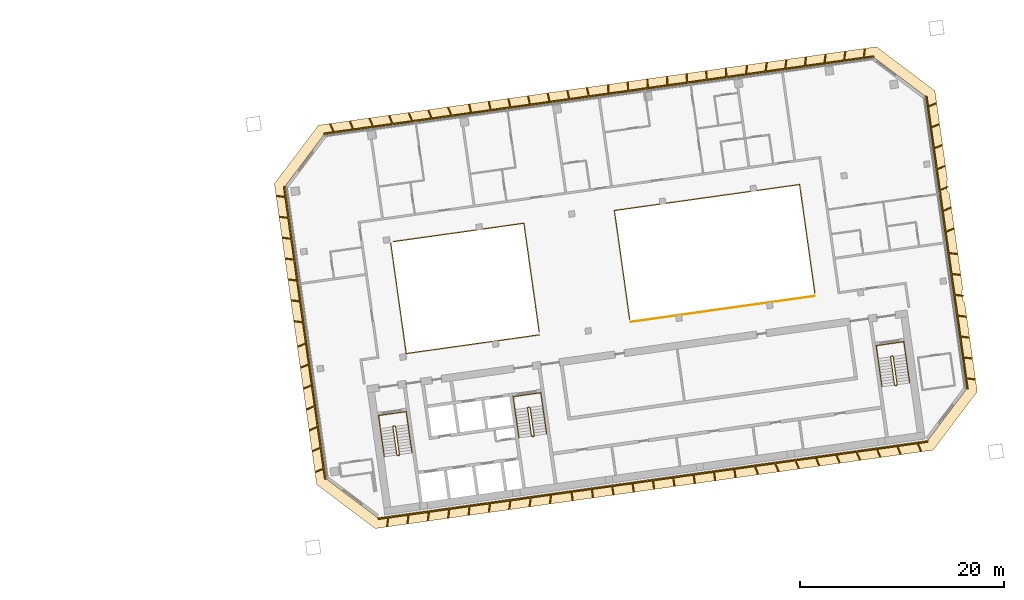
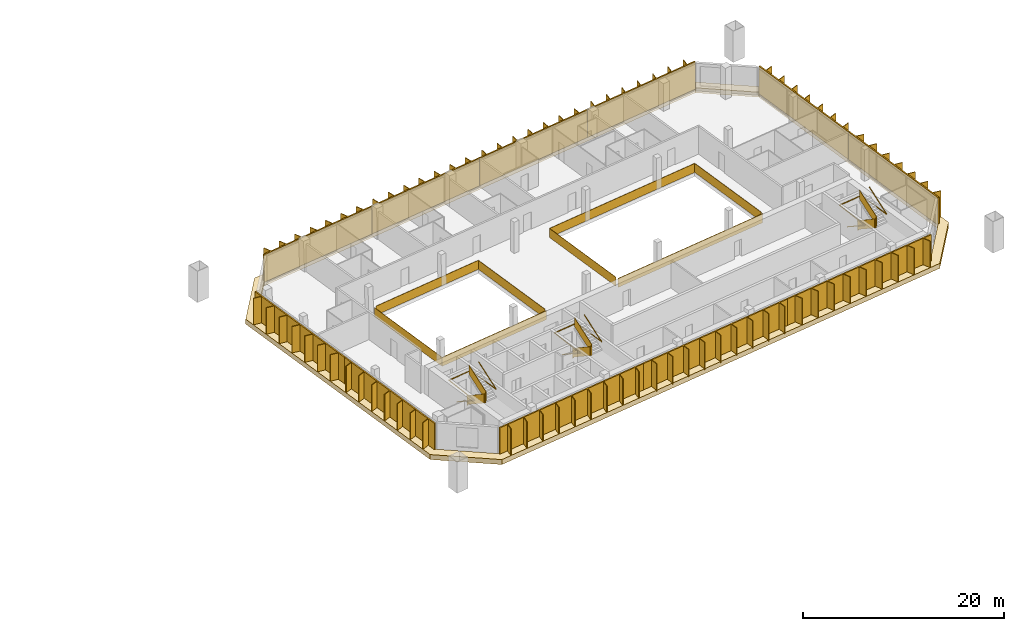
# One storey, part 25 of 25: 11 shading devices, 10 railings, 1 covering.
"""IFC4 building model written with IfcOpenShell, lengths in metres."""

from ifc_helpers import new_model, si_unit, direction, frame, origin, origin_2d, place, context, subcontext, project, spatial, polyline, rectangle, outline, extrude, material, layer, layer_set, type_object, element, save


model = new_model("IFC4")

# Units and contexts
model_context = context("Model", 3, precision=1e-05, world=origin(), true_north=direction((0.0, 1.0)))
body_context = subcontext(model_context, "Body", "Model", "MODEL_VIEW")
ifc_project = project(units=[si_unit("LENGTHUNIT", "METRE"), si_unit("AREAUNIT", "SQUARE_METRE"), si_unit("VOLUMEUNIT", "CUBIC_METRE"), si_unit("PLANEANGLEUNIT", "RADIAN"), si_unit("MASSUNIT", "GRAM", prefix="KILO")], contexts=[model_context])

# Site, building, storey
site_placement = place(None, origin())
site = spatial("IfcSite", under=ifc_project, at=site_placement, CompositionType="ELEMENT")
building_placement = place(site_placement, origin())
building = spatial("IfcBuilding", under=site, at=building_placement, Name="Mirante Cascada Hotel Towers", CompositionType="ELEMENT")
storey_placement = place(building_placement, frame((0.0, 0.0, 172.6)))
storey = spatial("IfcBuildingStorey", under=building, at=storey_placement, Name="L40", CompositionType="ELEMENT", Elevation=172.6)

# Railings
ifc_material_1 = material(Name="Toughened glass with stainless steel handrail", Category="steel")
railing_type_1 = type_object("IfcRailingType", Name="Atrium guard 1100 glass balustrade", PredefinedType="GUARDRAIL", material=ifc_material_1)
railing_1_placement = place(storey_placement, frame((37.864, 6.7125, 0.0)))
element("IfcRailing", 1, at=railing_1_placement, inside=storey, type_object=railing_type_1, Name="GUARD 2-L40-1", PredefinedType="GUARDRAIL", context=body_context, shape_type="SweptSolid", body=[
    extrude(rectangle(XDim=0.048, YDim=0.048, at=origin_2d()), frame((0.0, 0.0, 1.076), z_axis=(0.1391712, -0.9902683, 0.0), x_axis=(0.9902683, 0.1391712, 0.0)), (0.0, 0.0, 1.0), 10.9333),
    extrude(rectangle(XDim=0.02, YDim=1.052, at=origin_2d()), frame((0.0, 0.0, 0.526), z_axis=(0.1391712, -0.9902683, 0.0), x_axis=(0.9902683, 0.1391712, 0.0)), (0.0, 0.0, 1.0), 10.9333),
    extrude(rectangle(XDim=0.048, YDim=0.048, at=origin_2d()), frame((1.5216, -10.8269, 1.076), z_axis=(0.9902673, 0.1391788, 0.0), x_axis=(-0.1391788, 0.9902673, 0.0)), (0.0, 0.0, 1.0), 13.1622),
    extrude(rectangle(XDim=0.02, YDim=1.052, at=origin_2d()), frame((1.5216, -10.8269, 0.526), z_axis=(0.9902673, 0.1391788, 0.0), x_axis=(-0.1391788, 0.9902673, 0.0)), (0.0, 0.0, 1.0), 13.1622),
])
railing_2_placement = place(storey_placement, frame((61.4157, -1.0182, 0.0)))
element("IfcRailing", 2, at=railing_2_placement, inside=storey, type_object=railing_type_1, Name="GUARD 2-L40-2", PredefinedType="GUARDRAIL", context=body_context, shape_type="SweptSolid", body=[
    extrude(rectangle(XDim=0.048, YDim=0.048, at=origin_2d()), frame((0.0, 0.0, 1.076), z_axis=(0.990268, 0.1391737, 0.0), x_axis=(-0.1391737, 0.990268, 0.0)), (0.0, 0.0, 1.0), 18.2534),
    extrude(rectangle(XDim=0.02, YDim=1.052, at=origin_2d()), frame((0.0, 0.0, 0.526), z_axis=(0.990268, 0.1391737, 0.0), x_axis=(-0.1391737, 0.990268, 0.0)), (0.0, 0.0, 1.0), 18.2534),
    extrude(rectangle(XDim=0.048, YDim=0.048, at=origin_2d()), frame((18.0758, 2.5404, 1.076), z_axis=(-0.9902081, -0.1395992, 0.0), x_axis=(0.1395992, -0.9902081, 0.0)), (0.0, 0.0, 1.0), 0.0845),
    extrude(rectangle(XDim=0.02, YDim=1.052, at=origin_2d()), frame((18.0758, 2.5404, 0.526), z_axis=(-0.9902081, -0.1395992, 0.0), x_axis=(0.1395992, -0.9902081, 0.0)), (0.0, 0.0, 1.0), 0.0845),
])
railing_3_placement = place(storey_placement, frame((52.4271, -1.9829, 0.0)))
element("IfcRailing", 3, at=railing_3_placement, inside=storey, type_object=railing_type_1, Name="GUARD 2-L40-3", PredefinedType="GUARDRAIL", context=body_context, shape_type="SweptSolid", body=[
    extrude(rectangle(XDim=0.048, YDim=0.048, at=origin_2d()), frame((0.0, 0.0, 1.076), z_axis=(-0.1391715, 0.9902683, 0.0), x_axis=(-0.9902683, -0.1391715, 0.0)), (0.0, 0.0, 1.0), 10.7544),
    extrude(rectangle(XDim=0.02, YDim=1.052, at=origin_2d()), frame((0.0, 0.0, 0.526), z_axis=(-0.1391715, 0.9902683, 0.0), x_axis=(-0.9902683, -0.1391715, 0.0)), (0.0, 0.0, 1.0), 10.7544),
    extrude(rectangle(XDim=0.048, YDim=0.048, at=origin_2d()), frame((-1.4967, 10.6497, 1.076), z_axis=(-0.9902681, -0.139173, 0.0), x_axis=(0.139173, -0.9902681, 0.0)), (0.0, 0.0, 1.0), 12.935),
    extrude(rectangle(XDim=0.02, YDim=1.052, at=origin_2d()), frame((-1.4967, 10.6497, 0.526), z_axis=(-0.9902681, -0.139173, 0.0), x_axis=(0.139173, -0.9902681, 0.0)), (0.0, 0.0, 1.0), 12.935),
])
railing_4_placement = place(storey_placement, frame((79.4999, 1.8217, 0.0)))
element("IfcRailing", 4, at=railing_4_placement, inside=storey, type_object=railing_type_1, Name="GUARD 2-L40-4", PredefinedType="GUARDRAIL", context=body_context, shape_type="SweptSolid", body=[
    extrude(rectangle(XDim=0.048, YDim=0.048, at=origin_2d()), frame((0.0, 0.0, 1.076), z_axis=(-0.1391689, 0.9902687, 0.0), x_axis=(-0.9902687, -0.1391689, 0.0)), (0.0, 0.0, 1.0), 10.7546),
    extrude(rectangle(XDim=0.02, YDim=1.052, at=origin_2d()), frame((0.0, 0.0, 0.526), z_axis=(-0.1391689, 0.9902687, 0.0), x_axis=(-0.9902687, -0.1391689, 0.0)), (0.0, 0.0, 1.0), 10.7546),
    extrude(rectangle(XDim=0.048, YDim=0.048, at=origin_2d()), frame((-1.4967, 10.6499, 1.076), z_axis=(-0.9902686, -0.1391691, 0.0), x_axis=(0.1391691, -0.9902686, 0.0)), (0.0, 0.0, 1.0), 18.3525),
    extrude(rectangle(XDim=0.02, YDim=1.052, at=origin_2d()), frame((-1.4967, 10.6499, 0.526), z_axis=(-0.9902686, -0.1391691, 0.0), x_axis=(0.1391691, -0.9902686, 0.0)), (0.0, 0.0, 1.0), 18.3525),
    extrude(rectangle(XDim=0.048, YDim=0.048, at=origin_2d()), frame((-19.6706, 8.0958, 1.076), z_axis=(0.1391702, -0.9902685, 0.0), x_axis=(0.9902685, 0.1391702, 0.0)), (0.0, 0.0, 1.0), 10.7545),
    extrude(rectangle(XDim=0.02, YDim=1.052, at=origin_2d()), frame((-19.6706, 8.0958, 0.526), z_axis=(0.1391702, -0.9902685, 0.0), x_axis=(0.9902685, 0.1391702, 0.0)), (0.0, 0.0, 1.0), 10.7545),
])

# Covering
ifc_material_2 = material(Name="Precast concrete C40/50 white", Category="concrete")
ifc_layer = layer(ifc_material_2, 0.6)
ifc_layer_set = layer_set([ifc_layer], Name="Precast concrete SUNSHADE band 1000x600")
covering_type = type_object("IfcCoveringType", Name="Precast concrete SUNSHADE band 1000x600", PredefinedType="CLADDING", material=ifc_layer_set)
covering_placement = place(storey_placement, frame((0.0, 0.0, -0.45)))
element("IfcCovering", 5, at=covering_placement, inside=storey, type_object=covering_type, Name="Precast concrete SUNSHADE band T2 L40", PredefinedType="CLADDING", context=body_context, shape_type="SweptSolid", body=[
    extrude(outline(polyline([(26.4322, 12.5594), (30.7607, 18.3035), (85.5574, 26.0046), (91.3015, 21.6761), (92.5304, 12.932), (92.5293, 12.9309), (92.5044, 12.8978), (92.4828, 12.8624), (92.4648, 12.825), (92.4506, 12.7861), (92.4402, 12.7459), (92.4338, 12.705), (92.4315, 12.6636), (92.4332, 12.6221), (92.494, 11.955), (92.4998, 11.914), (92.5096, 11.8737), (92.5233, 11.8346), (92.5407, 11.7969), (92.5618, 11.7612), (92.5863, 11.7278), (92.6139, 11.6968), (92.6444, 11.6688), (92.6775, 11.6438), (92.7129, 11.6222), (92.7146, 11.6214), (94.0397, 2.1927), (94.0383, 2.1915), (94.0102, 2.161), (93.9853, 2.1279), (93.9637, 2.0925), (93.9457, 2.0551), (93.9314, 2.0162), (93.921, 1.9761), (93.9146, 1.9351), (93.9122, 1.8937), (93.9139, 1.8523), (93.9197, 1.8112), (94.0451, 1.1532), (94.0548, 1.1129), (94.0685, 1.0738), (94.0859, 1.0362), (94.1069, 1.0004), (94.1314, 0.9669), (94.159, 0.936), (94.1895, 0.9079), (94.2226, 0.8829), (94.2239, 0.8821), (95.4528, -7.862), (91.1243, -13.6061), (36.3277, -21.3073), (30.5836, -16.9788), (26.4322, 12.5594)]), holes=[polyline([(94.4049, -7.591), (90.3689, 21.1268), (85.2864, 24.9567), (31.3101, 17.3708), (27.4802, 12.2884), (31.5162, -16.4294), (36.5987, -20.2593), (90.575, -12.6735), (94.4049, -7.591)])]), origin(), (0.0, 0.0, 1.0), 0.6),
])

# Railings
ifc_material_3 = material(Name="Painted steel", Category="steel")
railing_type_2 = type_object("IfcRailingType", Name="Stair guard 1100 steel balustrade", PredefinedType="GUARDRAIL", material=ifc_material_3)
railing_5_placement = place(storey_placement, frame((38.2663, -11.2395, 0.0)))
element("IfcRailing", 6, at=railing_5_placement, inside=storey, type_object=railing_type_2, Name="L40 ST2-A stair guard 1", PredefinedType="GUARDRAIL", context=body_context, shape_type="SweptSolid", body=[
    extrude(rectangle(XDim=0.048, YDim=0.048, at=origin_2d()), frame((0.0, 0.0, 1.076), z_axis=(-0.9903326, -0.1387133, 0.0), x_axis=(0.1387133, -0.9903326, 0.0)), (0.0, 0.0, 1.0), 0.1499),
    extrude(rectangle(XDim=0.02, YDim=1.052, at=origin_2d()), frame((0.0, 0.0, 0.526), z_axis=(-0.9903326, -0.1387133, 0.0), x_axis=(0.1387133, -0.9903326, 0.0)), (0.0, 0.0, 1.0), 0.1499),
    extrude(rectangle(XDim=0.048, YDim=0.048, at=origin_2d()), frame((-0.1485, -0.0208, 1.076), z_axis=(-0.6020331, -0.7984711, 0.0), x_axis=(0.7984711, -0.6020331, 0.0)), (0.0, 0.9253398, 0.3791387), 0.1866),
    extrude(rectangle(XDim=0.02, YDim=1.052, at=origin_2d()), frame((-0.1485, -0.0208, 0.526), z_axis=(-0.6020331, -0.7984711, 0.0), x_axis=(0.7984711, -0.6020331, 0.0)), (0.0, 0.9253398, 0.3791387), 0.1866),
    extrude(rectangle(XDim=0.048, YDim=0.048, at=origin_2d()), frame((-0.1911, -0.0773, 1.2487), z_axis=(0.139176, -0.9902677, 0.0), x_axis=(0.9902677, 0.139176, 0.0)), (0.0, 0.5250212, 0.8510891), 3.29),
    extrude(rectangle(XDim=0.02, YDim=1.052, at=origin_2d()), frame((-0.1911, -0.0773, 0.6987), z_axis=(0.139176, -0.9902677, 0.0), x_axis=(0.9902677, 0.139176, 0.0)), (0.0, 0.5250212, 0.8510891), 3.29),
    extrude(rectangle(XDim=0.048, YDim=0.048, at=origin_2d()), frame((0.1986, -2.8501, 2.976), z_axis=(0.9944948, -0.1047858, 0.0), x_axis=(0.1047858, 0.9944948, 0.0)), (0.0, 0.0, 1.0), 0.2061),
    extrude(rectangle(XDim=0.02, YDim=1.052, at=origin_2d()), frame((0.1986, -2.8501, 2.426), z_axis=(0.9944948, -0.1047858, 0.0), x_axis=(0.1047858, 0.9944948, 0.0)), (0.0, 0.0, 1.0), 0.2061),
    extrude(rectangle(XDim=0.048, YDim=0.048, at=origin_2d()), frame((0.4036, -2.8717, 2.976), z_axis=(-0.9902408, -0.1393672, 0.0), x_axis=(0.1393672, -0.9902408, 0.0)), (0.0, 0.0, 1.0), 0.15),
    extrude(rectangle(XDim=0.02, YDim=1.052, at=origin_2d()), frame((0.4036, -2.8717, 2.426), z_axis=(-0.9902408, -0.1393672, 0.0), x_axis=(0.1393672, -0.9902408, 0.0)), (0.0, 0.0, 1.0), 0.15),
    extrude(rectangle(XDim=0.048, YDim=0.048, at=origin_2d()), frame((0.2551, -2.8926, 2.976), z_axis=(0.9270311, 0.3749843, 0.0), x_axis=(-0.3749843, 0.9270311, 0.0)), (0.0, 0.6421903, 0.7665452), 0.2689),
    extrude(rectangle(XDim=0.02, YDim=1.052, at=origin_2d()), frame((0.2551, -2.8926, 2.426), z_axis=(0.9270311, 0.3749843, 0.0), x_axis=(-0.3749843, 0.9270311, 0.0)), (0.0, 0.6421903, 0.7665452), 0.2689),
    extrude(rectangle(XDim=0.048, YDim=0.048, at=origin_2d()), frame((0.4462, -2.8153, 3.1487), z_axis=(-0.139176, 0.9902677, 0.0), x_axis=(-0.9902677, -0.139176, 0.0)), (0.0, 0.5250212, 0.8510891), 3.29),
    extrude(rectangle(XDim=0.02, YDim=1.052, at=origin_2d()), frame((0.4462, -2.8153, 2.5987), z_axis=(-0.139176, 0.9902677, 0.0), x_axis=(-0.9902677, -0.139176, 0.0)), (0.0, 0.5250212, 0.8510891), 3.29),
])
railing_6_placement = place(storey_placement, frame((51.4864, -9.3815, 0.0)))
element("IfcRailing", 7, at=railing_6_placement, inside=storey, type_object=railing_type_2, Name="L40 ST2-B stair guard 1", PredefinedType="GUARDRAIL", context=body_context, shape_type="SweptSolid", body=[
    extrude(rectangle(XDim=0.048, YDim=0.048, at=origin_2d()), frame((0.0, 0.0, 1.076), z_axis=(-0.9902408, -0.1393672, 0.0), x_axis=(0.1393672, -0.9902408, 0.0)), (0.0, 0.0, 1.0), 0.15),
    extrude(rectangle(XDim=0.02, YDim=1.052, at=origin_2d()), frame((0.0, 0.0, 0.526), z_axis=(-0.9902408, -0.1393672, 0.0), x_axis=(0.1393672, -0.9902408, 0.0)), (0.0, 0.0, 1.0), 0.15),
    extrude(rectangle(XDim=0.048, YDim=0.048, at=origin_2d()), frame((-0.1485, -0.0209, 1.076), z_axis=(-0.6020331, -0.7984711, 0.0), x_axis=(0.7984711, -0.6020331, 0.0)), (0.0, 0.9253398, 0.3791387), 0.1866),
    extrude(rectangle(XDim=0.02, YDim=1.052, at=origin_2d()), frame((-0.1485, -0.0209, 0.526), z_axis=(-0.6020331, -0.7984711, 0.0), x_axis=(0.7984711, -0.6020331, 0.0)), (0.0, 0.9253398, 0.3791387), 0.1866),
    extrude(rectangle(XDim=0.048, YDim=0.048, at=origin_2d()), frame((-0.1911, -0.0774, 1.2487), z_axis=(0.139181, -0.990267, 0.0), x_axis=(0.990267, 0.139181, 0.0)), (0.0, 0.5250347, 0.8510808), 3.2899),
    extrude(rectangle(XDim=0.02, YDim=1.052, at=origin_2d()), frame((-0.1911, -0.0774, 0.6987), z_axis=(0.139181, -0.990267, 0.0), x_axis=(0.990267, 0.139181, 0.0)), (0.0, 0.5250347, 0.8510808), 3.2899),
    extrude(rectangle(XDim=0.048, YDim=0.048, at=origin_2d()), frame((0.1986, -2.8501, 2.976), z_axis=(0.9944441, -0.1052656, 0.0), x_axis=(0.1052656, 0.9944441, 0.0)), (0.0, 0.0, 1.0), 0.2061),
    extrude(rectangle(XDim=0.02, YDim=1.052, at=origin_2d()), frame((0.1986, -2.8501, 2.426), z_axis=(0.9944441, -0.1052656, 0.0), x_axis=(0.1052656, 0.9944441, 0.0)), (0.0, 0.0, 1.0), 0.2061),
    extrude(rectangle(XDim=0.048, YDim=0.048, at=origin_2d()), frame((0.4036, -2.8718, 2.976), z_axis=(-0.9902408, -0.1393672, 0.0), x_axis=(0.1393672, -0.9902408, 0.0)), (0.0, 0.0, 1.0), 0.15),
    extrude(rectangle(XDim=0.02, YDim=1.052, at=origin_2d()), frame((0.4036, -2.8718, 2.426), z_axis=(-0.9902408, -0.1393672, 0.0), x_axis=(0.1393672, -0.9902408, 0.0)), (0.0, 0.0, 1.0), 0.15),
    extrude(rectangle(XDim=0.048, YDim=0.048, at=origin_2d()), frame((0.2551, -2.8927, 2.976), z_axis=(0.9268624, 0.3754011, 0.0), x_axis=(-0.3754011, 0.9268624, 0.0)), (0.0, 0.6421217, 0.7666028), 0.269),
    extrude(rectangle(XDim=0.02, YDim=1.052, at=origin_2d()), frame((0.2551, -2.8927, 2.426), z_axis=(0.9268624, 0.3754011, 0.0), x_axis=(-0.3754011, 0.9268624, 0.0)), (0.0, 0.6421217, 0.7666028), 0.269),
    extrude(rectangle(XDim=0.048, YDim=0.048, at=origin_2d()), frame((0.4462, -2.8153, 3.1487), z_axis=(-0.139181, 0.990267, 0.0), x_axis=(-0.990267, -0.139181, 0.0)), (0.0, 0.5250347, 0.8510808), 3.2899),
    extrude(rectangle(XDim=0.02, YDim=1.052, at=origin_2d()), frame((0.4462, -2.8153, 2.5987), z_axis=(-0.139181, 0.990267, 0.0), x_axis=(-0.990267, -0.139181, 0.0)), (0.0, 0.5250347, 0.8510808), 3.2899),
])
railing_7_placement = place(storey_placement, frame((87.1361, -4.3713, 0.0)))
element("IfcRailing", 8, at=railing_7_placement, inside=storey, type_object=railing_type_2, Name="L40 ST2-C stair guard 1", PredefinedType="GUARDRAIL", context=body_context, shape_type="SweptSolid", body=[
    extrude(rectangle(XDim=0.048, YDim=0.048, at=origin_2d()), frame((0.0, 0.0, 1.076), z_axis=(-0.9902537, -0.1392753, 0.0), x_axis=(0.1392753, -0.9902537, 0.0)), (0.0, 0.0, 1.0), 0.1501),
    extrude(rectangle(XDim=0.02, YDim=1.052, at=origin_2d()), frame((0.0, 0.0, 0.526), z_axis=(-0.9902537, -0.1392753, 0.0), x_axis=(0.1392753, -0.9902537, 0.0)), (0.0, 0.0, 1.0), 0.1501),
    extrude(rectangle(XDim=0.048, YDim=0.048, at=origin_2d()), frame((-0.1486, -0.0209, 1.076), z_axis=(-0.601811, -0.7986386, 0.0), x_axis=(0.7986386, -0.601811, 0.0)), (0.0, 0.925603, 0.3784959), 0.1866),
    extrude(rectangle(XDim=0.02, YDim=1.052, at=origin_2d()), frame((-0.1486, -0.0209, 0.526), z_axis=(-0.601811, -0.7986386, 0.0), x_axis=(0.7986386, -0.601811, 0.0)), (0.0, 0.925603, 0.3784959), 0.1866),
    extrude(rectangle(XDim=0.048, YDim=0.048, at=origin_2d()), frame((-0.1911, -0.0773, 1.2487), z_axis=(0.139176, -0.9902677, 0.0), x_axis=(0.9902677, 0.139176, 0.0)), (0.0, 0.5250212, 0.8510891), 3.29),
    extrude(rectangle(XDim=0.02, YDim=1.052, at=origin_2d()), frame((-0.1911, -0.0773, 0.6987), z_axis=(0.139176, -0.9902677, 0.0), x_axis=(0.9902677, 0.139176, 0.0)), (0.0, 0.5250212, 0.8510891), 3.29),
    extrude(rectangle(XDim=0.048, YDim=0.048, at=origin_2d()), frame((0.1986, -2.8501, 2.976), z_axis=(0.9944441, -0.1052656, 0.0), x_axis=(0.1052656, 0.9944441, 0.0)), (0.0, 0.0, 1.0), 0.2061),
    extrude(rectangle(XDim=0.02, YDim=1.052, at=origin_2d()), frame((0.1986, -2.8501, 2.426), z_axis=(0.9944441, -0.1052656, 0.0), x_axis=(0.1052656, 0.9944441, 0.0)), (0.0, 0.0, 1.0), 0.2061),
    extrude(rectangle(XDim=0.048, YDim=0.048, at=origin_2d()), frame((0.4036, -2.8718, 2.976), z_axis=(-0.9903454, -0.1386217, 0.0), x_axis=(0.1386217, -0.9903454, 0.0)), (0.0, 0.0, 1.0), 0.15),
    extrude(rectangle(XDim=0.02, YDim=1.052, at=origin_2d()), frame((0.4036, -2.8718, 2.426), z_axis=(-0.9903454, -0.1386217, 0.0), x_axis=(0.1386217, -0.9903454, 0.0)), (0.0, 0.0, 1.0), 0.15),
    extrude(rectangle(XDim=0.048, YDim=0.048, at=origin_2d()), frame((0.255, -2.8926, 2.976), z_axis=(0.9270311, 0.3749843, 0.0), x_axis=(-0.3749843, 0.9270311, 0.0)), (0.0, 0.6421903, 0.7665452), 0.2689),
    extrude(rectangle(XDim=0.02, YDim=1.052, at=origin_2d()), frame((0.255, -2.8926, 2.426), z_axis=(0.9270311, 0.3749843, 0.0), x_axis=(-0.3749843, 0.9270311, 0.0)), (0.0, 0.6421903, 0.7665452), 0.2689),
    extrude(rectangle(XDim=0.048, YDim=0.048, at=origin_2d()), frame((0.4461, -2.8153, 3.1487), z_axis=(-0.139176, 0.9902677, 0.0), x_axis=(-0.9902677, -0.139176, 0.0)), (0.0, 0.5250212, 0.8510891), 3.29),
    extrude(rectangle(XDim=0.02, YDim=1.052, at=origin_2d()), frame((0.4461, -2.8153, 2.5987), z_axis=(-0.139176, 0.9902677, 0.0), x_axis=(-0.9902677, -0.139176, 0.0)), (0.0, 0.5250212, 0.8510891), 3.29),
])
ifc_material_4 = material(Name="Painted steel", Category="steel")
railing_type_3 = type_object("IfcRailingType", Name="Stair handrail 900 steel tube", PredefinedType="HANDRAIL", material=ifc_material_4)
railing_8_placement = place(storey_placement, frame((36.8374, -11.4908, 0.1727)))
element("IfcRailing", 9, at=railing_8_placement, inside=storey, type_object=railing_type_3, Name="L40 ST2-A stair handrail 1", PredefinedType="HANDRAIL", context=body_context, shape_type="SweptSolid", body=[
    extrude(rectangle(XDim=0.048, YDim=0.048, at=origin_2d()), frame((0.0, 0.0, 0.876), z_axis=(0.139181, -0.990267, 0.0), x_axis=(0.990267, 0.139181, 0.0)), (0.0, 0.5250347, 0.8510808), 3.2899),
    extrude(rectangle(XDim=0.048, YDim=0.048, at=origin_2d()), frame((0.3897, -2.7727, 2.6033), z_axis=(-0.1391707, 0.9902684, 0.0), x_axis=(-0.9902684, -0.1391707, 0.0)), (0.0, 0.0420846, 0.999114), 4.1036),
    extrude(rectangle(XDim=0.048, YDim=0.048, at=origin_2d()), frame((-0.1809, 1.2874, 2.776), z_axis=(0.9902691, 0.1391657, 0.0), x_axis=(-0.1391657, 0.9902691, 0.0)), (0.0, 0.0, 1.0), 2.75),
    extrude(rectangle(XDim=0.048, YDim=0.048, at=origin_2d()), frame((2.5423, 1.6701, 2.776), z_axis=(0.1391707, -0.9902684, 0.0), x_axis=(0.9902684, 0.1391707, 0.0)), (0.0, 0.0, 1.0), 4.1),
    extrude(rectangle(XDim=0.048, YDim=0.048, at=origin_2d()), frame((3.1129, -2.39, 2.776), z_axis=(-0.139181, 0.990267, 0.0), x_axis=(-0.990267, -0.139181, 0.0)), (0.0, 0.5250347, 0.8510808), 3.2899),
])
railing_9_placement = place(storey_placement, frame((50.0575, -9.6328, 0.1727)))
element("IfcRailing", 10, at=railing_9_placement, inside=storey, type_object=railing_type_3, Name="L40 ST2-B stair handrail 1", PredefinedType="HANDRAIL", context=body_context, shape_type="SweptSolid", body=[
    extrude(rectangle(XDim=0.048, YDim=0.048, at=origin_2d()), frame((0.0, 0.0, 0.876), z_axis=(0.139176, -0.9902677, 0.0), x_axis=(0.9902677, 0.139176, 0.0)), (0.0, 0.5250212, 0.8510891), 3.29),
    extrude(rectangle(XDim=0.048, YDim=0.048, at=origin_2d()), frame((0.3897, -2.7728, 2.6033), z_axis=(-0.1391707, 0.9902684, 0.0), x_axis=(-0.9902684, -0.1391707, 0.0)), (0.0, 0.0420846, 0.999114), 4.1036),
    extrude(rectangle(XDim=0.048, YDim=0.048, at=origin_2d()), frame((-0.1809, 1.2873, 2.776), z_axis=(0.9902641, 0.1392013, 0.0), x_axis=(-0.1392013, 0.9902641, 0.0)), (0.0, 0.0, 1.0), 2.75),
    extrude(rectangle(XDim=0.048, YDim=0.048, at=origin_2d()), frame((2.5423, 1.6701, 2.776), z_axis=(0.1391707, -0.9902684, 0.0), x_axis=(0.9902684, 0.1391707, 0.0)), (0.0, 0.0, 1.0), 4.1),
    extrude(rectangle(XDim=0.048, YDim=0.048, at=origin_2d()), frame((3.1129, -2.39, 2.776), z_axis=(-0.139181, 0.990267, 0.0), x_axis=(-0.990267, -0.139181, 0.0)), (0.0, 0.5250347, 0.8510808), 3.2899),
])
railing_10_placement = place(storey_placement, frame((85.7071, -4.6226, 0.1727)))
element("IfcRailing", 11, at=railing_10_placement, inside=storey, type_object=railing_type_3, Name="L40 ST2-C stair handrail 1", PredefinedType="HANDRAIL", context=body_context, shape_type="SweptSolid", body=[
    extrude(rectangle(XDim=0.048, YDim=0.048, at=origin_2d()), frame((0.0, 0.0, 0.876), z_axis=(0.139181, -0.990267, 0.0), x_axis=(0.990267, 0.139181, 0.0)), (0.0, 0.5250347, 0.8510808), 3.2899),
    extrude(rectangle(XDim=0.048, YDim=0.048, at=origin_2d()), frame((0.3897, -2.7727, 2.6033), z_axis=(-0.1391707, 0.9902684, 0.0), x_axis=(-0.9902684, -0.1391707, 0.0)), (0.0, 0.0420846, 0.999114), 4.1036),
    extrude(rectangle(XDim=0.048, YDim=0.048, at=origin_2d()), frame((-0.1809, 1.2874, 2.776), z_axis=(0.9902691, 0.1391657, 0.0), x_axis=(-0.1391657, 0.9902691, 0.0)), (0.0, 0.0, 1.0), 2.75),
    extrude(rectangle(XDim=0.048, YDim=0.048, at=origin_2d()), frame((2.5423, 1.6701, 2.776), z_axis=(0.1391947, -0.990265, 0.0), x_axis=(0.990265, 0.1391947, 0.0)), (0.0, 0.0, 1.0), 4.1),
    extrude(rectangle(XDim=0.048, YDim=0.048, at=origin_2d()), frame((3.113, -2.39, 2.776), z_axis=(-0.139181, 0.990267, 0.0), x_axis=(-0.990267, -0.139181, 0.0)), (0.0, 0.5250347, 0.8510808), 3.2899),
])

# Shading devices
ifc_material_5 = material(Name="White precast concrete C50/60 fin", Category="concrete")
shading_device_type = type_object("IfcShadingDeviceType", Name="Vertical fin set 4500x900", PredefinedType="USERDEFINED", material=ifc_material_5)
shading_device_1_placement = place(storey_placement, origin())
element("IfcShadingDevice", 12, at=shading_device_1_placement, inside=storey, type_object=shading_device_type, Name="FIN T2 L40 front 1", ObjectType="FIN", PredefinedType="USERDEFINED", context=body_context, shape_type="SweptSolid", body=[
    extrude(outline(polyline([(72.8916, 24.1832), (72.7896, 23.3519), (74.6353, 23.6113), (74.74, 24.4638), (74.8194, 24.4541), (74.7173, 23.6228), (76.563, 23.8822), (76.6677, 24.7348), (76.7471, 24.725), (76.645, 23.8937), (78.4907, 24.1531), (78.5954, 25.0057), (78.6748, 24.9959), (78.5728, 24.1647), (80.4185, 24.4241), (80.5231, 25.2766), (80.6025, 25.2669), (80.5005, 24.4356), (82.3462, 24.695), (82.4509, 25.5475), (82.5303, 25.5378), (82.4282, 24.7065), (84.2739, 24.9659), (84.3786, 25.8185), (84.458, 25.8087), (84.3559, 24.9774), (85.2655, 25.1053), (85.2864, 24.9567), (71.7923, 23.0603), (71.7714, 23.2088), (72.7076, 23.3404), (72.8122, 24.1929), (72.8916, 24.1832)])), origin(), (0.0, 0.0, 1.0), 3.35),
])
shading_device_2_placement = place(storey_placement, origin())
element("IfcShadingDevice", 13, at=shading_device_2_placement, inside=storey, type_object=shading_device_type, Name="FIN T2 L40 front 2", ObjectType="FIN", PredefinedType="USERDEFINED", context=body_context, shape_type="SweptSolid", body=[
    extrude(outline(polyline([(59.241, 22.2991), (59.2853, 21.454), (61.1335, 21.7137), (61.0889, 22.5659), (61.1688, 22.5701), (61.213, 21.7249), (63.0612, 21.9847), (63.0166, 22.8368), (63.0965, 22.841), (63.1408, 21.9958), (64.989, 22.2556), (64.9443, 23.1077), (65.0242, 23.1119), (65.0685, 22.2668), (66.9167, 22.5265), (66.872, 23.3786), (66.9519, 23.3828), (66.9962, 22.5377), (68.8444, 22.7974), (68.7998, 23.6496), (68.8797, 23.6538), (68.9239, 22.8086), (70.7721, 23.0683), (70.7275, 23.9205), (70.8074, 23.9247), (70.8517, 23.0795), (71.7714, 23.2088), (71.7923, 23.0603), (58.2982, 21.1638), (58.2774, 21.3123), (59.2058, 21.4428), (59.1611, 22.2949), (59.241, 22.2991)])), origin(), (0.0, 0.0, 1.0), 3.35),
])
shading_device_3_placement = place(storey_placement, origin())
element("IfcShadingDevice", 14, at=shading_device_3_placement, inside=storey, type_object=shading_device_type, Name="FIN T2 L40 front 3", ObjectType="FIN", PredefinedType="USERDEFINED", context=body_context, shape_type="SweptSolid", body=[
    extrude(outline(polyline([(45.5906, 20.3877), (45.7826, 19.5563), (47.6308, 19.816), (47.4404, 20.6407), (47.5184, 20.6587), (47.7103, 19.8272), (49.5585, 20.087), (49.3681, 20.9116), (49.4461, 20.9296), (49.638, 20.0981), (51.4862, 20.3579), (51.2959, 21.1825), (51.3738, 21.2005), (51.5658, 20.3691), (53.414, 20.6288), (53.2236, 21.4534), (53.3015, 21.4714), (53.4935, 20.64), (55.3417, 20.8997), (55.1513, 21.7244), (55.2293, 21.7424), (55.4212, 20.9109), (57.2694, 21.1707), (57.079, 21.9953), (57.157, 22.0133), (57.3489, 21.1818), (58.2774, 21.3123), (58.2982, 21.1638), (44.8042, 19.2673), (44.7833, 19.4159), (45.7031, 19.5451), (45.5127, 20.3697), (45.5906, 20.3877)])), origin(), (0.0, 0.0, 1.0), 3.35),
])
shading_device_4_placement = place(storey_placement, origin())
element("IfcShadingDevice", 15, at=shading_device_4_placement, inside=storey, type_object=shading_device_type, Name="FIN T2 L40 front 4", ObjectType="FIN", PredefinedType="USERDEFINED", context=body_context, shape_type="SweptSolid", body=[
    extrude(outline(polyline([(31.9452, 18.4494), (32.2808, 17.6587), (34.1265, 17.9181), (33.7993, 18.6891), (33.8729, 18.7203), (34.2085, 17.9297), (36.0542, 18.1891), (35.727, 18.96), (35.8006, 18.9913), (36.1363, 18.2006), (37.982, 18.46), (37.6547, 19.2309), (37.7284, 19.2622), (38.064, 18.4715), (39.9097, 18.7309), (39.5825, 19.5019), (39.6561, 19.5331), (39.9917, 18.7424), (41.8374, 19.0018), (41.5102, 19.7728), (41.5838, 19.804), (41.9194, 19.0134), (43.7651, 19.2728), (43.4379, 20.0437), (43.5115, 20.075), (43.8472, 19.2843), (44.7833, 19.4159), (44.8042, 19.2673), (31.3101, 17.3708), (31.2892, 17.5194), (32.1988, 17.6472), (31.8716, 18.4182), (31.9452, 18.4494)])), origin(), (0.0, 0.0, 1.0), 3.35),
])
shading_device_5_placement = place(storey_placement, origin())
element("IfcShadingDevice", 16, at=shading_device_5_placement, inside=storey, type_object=shading_device_type, Name="FIN T2 L40 inner 1", ObjectType="FIN", PredefinedType="USERDEFINED", context=body_context, shape_type="SweptSolid", body=[
    extrude(outline(polyline([(28.3666, -0.9094), (29.1979, -1.0115), (28.9211, 0.9578), (28.0685, 1.0624), (28.0783, 1.1418), (28.9096, 1.0398), (28.6328, 3.009), (27.7803, 3.1137), (27.79, 3.1931), (28.6213, 3.091), (28.3445, 5.0603), (27.492, 5.165), (27.5017, 5.2444), (28.333, 5.1423), (28.0562, 7.1116), (27.2037, 7.2162), (27.2134, 7.2957), (28.0447, 7.1936), (27.7679, 9.1628), (26.9154, 9.2675), (26.9251, 9.3469), (27.7564, 9.2449), (27.4797, 11.2141), (26.6271, 11.3188), (26.6369, 11.3982), (27.4681, 11.2961), (27.3316, 12.2675), (27.4802, 12.2884), (29.4982, -2.0705), (29.3496, -2.0914), (29.2094, -1.0935), (28.3568, -0.9888), (28.3666, -0.9094)])), origin(), (0.0, 0.0, 1.0), 3.35),
])
shading_device_6_placement = place(storey_placement, origin())
element("IfcShadingDevice", 17, at=shading_device_6_placement, inside=storey, type_object=shading_device_type, Name="FIN T2 L40 inner 2", ObjectType="FIN", PredefinedType="USERDEFINED", context=body_context, shape_type="SweptSolid", body=[
    extrude(outline(polyline([(30.4289, -15.7325), (31.2196, -15.3969), (30.9428, -13.4277), (30.1719, -13.7549), (30.1406, -13.6813), (30.9313, -13.3456), (30.6545, -11.3764), (29.8836, -11.7036), (29.8524, -11.63), (30.643, -11.2944), (30.3663, -9.3251), (29.5953, -9.6524), (29.5641, -9.5787), (30.3547, -9.2431), (30.078, -7.2739), (29.307, -7.6011), (29.2758, -7.5275), (30.0664, -7.1918), (29.7897, -5.2226), (29.0187, -5.5498), (28.9875, -5.4762), (29.7782, -5.1406), (29.5014, -3.1713), (28.7305, -3.4986), (28.6992, -3.4249), (29.4899, -3.0893), (29.3496, -2.0914), (29.4982, -2.0705), (31.5162, -16.4294), (31.3676, -16.4503), (31.2311, -15.4789), (30.4602, -15.8062), (30.4289, -15.7325)])), origin(), (0.0, 0.0, 1.0), 3.35),
])
shading_device_7_placement = place(storey_placement, origin())
element("IfcShadingDevice", 18, at=shading_device_7_placement, inside=storey, type_object=shading_device_type, Name="FIN T2 L40 outer 1", ObjectType="FIN", PredefinedType="USERDEFINED", context=body_context, shape_type="SweptSolid", body=[
    extrude(outline(polyline([(95.2482, -6.7008), (94.4169, -6.5987), (94.5534, -7.5701), (94.4049, -7.591), (92.3869, 6.7679), (92.5354, 6.7888), (92.6757, 5.7909), (93.5282, 5.6862), (93.5185, 5.6068), (92.6872, 5.7089), (92.964, 3.7396), (93.8165, 3.6349), (93.8068, 3.5555), (92.9755, 3.6576), (93.2522, 1.6883), (94.1048, 1.5837), (94.095, 1.5043), (93.2638, 1.6063), (93.5405, -0.3629), (94.3931, -0.4676), (94.3833, -0.547), (93.5521, -0.4449), (93.8288, -2.4142), (94.6814, -2.5189), (94.6716, -2.5983), (93.8403, -2.4962), (94.1171, -4.4655), (94.9697, -4.5701), (94.9599, -4.6495), (94.1286, -4.5475), (94.4054, -6.5167), (95.2579, -6.6214), (95.2482, -6.7008)])), origin(), (0.0, 0.0, 1.0), 3.35),
])
shading_device_8_placement = place(storey_placement, origin())
element("IfcShadingDevice", 19, at=shading_device_8_placement, inside=storey, type_object=shading_device_type, Name="FIN T2 L40 outer 2", ObjectType="FIN", PredefinedType="USERDEFINED", context=body_context, shape_type="SweptSolid", body=[
    extrude(outline(polyline([(93.1859, 8.1223), (92.3952, 7.7867), (92.5354, 6.7888), (92.3869, 6.7679), (90.3689, 21.1268), (90.5174, 21.1477), (90.6539, 20.1763), (91.4249, 20.5036), (91.4561, 20.4299), (90.6655, 20.0943), (90.9422, 18.125), (91.7132, 18.4523), (91.7444, 18.3786), (90.9537, 18.043), (91.2305, 16.0738), (92.0014, 16.401), (92.0327, 16.3274), (91.242, 15.9918), (91.5188, 14.0225), (92.2897, 14.3497), (92.321, 14.2761), (91.5303, 13.9405), (91.8071, 11.9712), (92.578, 12.2985), (92.6093, 12.2248), (91.8186, 11.8892), (92.0954, 9.92), (92.8663, 10.2472), (92.8976, 10.1736), (92.1069, 9.8379), (92.3837, 7.8687), (93.1546, 8.1959), (93.1859, 8.1223)])), origin(), (0.0, 0.0, 1.0), 3.35),
])
shading_device_9_placement = place(storey_placement, origin())
element("IfcShadingDevice", 20, at=shading_device_9_placement, inside=storey, type_object=shading_device_type, Name="FIN T2 L40 rear 1", ObjectType="FIN", PredefinedType="USERDEFINED", context=body_context, shape_type="SweptSolid", body=[
    extrude(outline(polyline([(37.4628, -21.1063), (37.5648, -20.275), (36.6195, -20.4079), (36.5987, -20.2593), (54.5908, -17.7307), (54.6116, -17.8793), (53.6398, -18.0158), (53.5351, -18.8684), (53.4557, -18.8586), (53.5578, -18.0274), (51.6407, -18.2968), (51.536, -19.1493), (51.4566, -19.1396), (51.5587, -18.3083), (49.6416, -18.5778), (49.5369, -19.4303), (49.4575, -19.4206), (49.5596, -18.5893), (47.6425, -18.8587), (47.5378, -19.7113), (47.4584, -19.7015), (47.5604, -18.8702), (45.6433, -19.1397), (45.5387, -19.9922), (45.4592, -19.9825), (45.5613, -19.1512), (43.6442, -19.4206), (43.5395, -20.2732), (43.4601, -20.2634), (43.5622, -19.4322), (41.6451, -19.7016), (41.5404, -20.5541), (41.461, -20.5444), (41.5631, -19.7131), (39.646, -19.9825), (39.5413, -20.8351), (39.4619, -20.8253), (39.5639, -19.9941), (37.6468, -20.2635), (37.5422, -21.1161), (37.4628, -21.1063)])), origin(), (0.0, 0.0, 1.0), 3.35),
])
shading_device_10_placement = place(storey_placement, origin())
element("IfcShadingDevice", 21, at=shading_device_10_placement, inside=storey, type_object=shading_device_type, Name="FIN T2 L40 rear 2", ObjectType="FIN", PredefinedType="USERDEFINED", context=body_context, shape_type="SweptSolid", body=[
    extrude(outline(polyline([(55.6899, -18.5861), (55.5716, -17.7443), (54.6116, -17.8793), (54.5908, -17.7307), (72.5829, -15.2021), (72.6037, -15.3506), (71.6438, -15.4855), (71.7621, -16.3273), (71.6829, -16.3384), (71.5646, -15.4967), (69.6447, -15.7665), (69.763, -16.6082), (69.6837, -16.6194), (69.5655, -15.7776), (67.6455, -16.0475), (67.7638, -16.8892), (67.6846, -16.9003), (67.5663, -16.0586), (65.6464, -16.3284), (65.7647, -17.1701), (65.6855, -17.1813), (65.5672, -16.3396), (63.6473, -16.6094), (63.7656, -17.4511), (63.6864, -17.4622), (63.5681, -16.6205), (61.6482, -16.8903), (61.7665, -17.7321), (61.6873, -17.7432), (61.569, -16.9015), (59.6491, -17.1713), (59.7674, -18.013), (59.6881, -18.0242), (59.5698, -17.1824), (57.6499, -17.4523), (57.7682, -18.294), (57.689, -18.3051), (57.5707, -17.4634), (55.6508, -17.7332), (55.7691, -18.5749), (55.6899, -18.5861)])), origin(), (0.0, 0.0, 1.0), 3.35),
])
shading_device_11_placement = place(storey_placement, origin())
element("IfcShadingDevice", 22, at=shading_device_11_placement, inside=storey, type_object=shading_device_type, Name="FIN T2 L40 rear 3", ObjectType="FIN", PredefinedType="USERDEFINED", context=body_context, shape_type="SweptSolid", body=[
    extrude(outline(polyline([(73.9112, -16.0047), (73.5756, -15.2141), (72.6037, -15.3506), (72.5829, -15.2021), (90.575, -12.6735), (90.5958, -12.822), (89.6506, -12.9549), (89.9778, -13.7258), (89.9042, -13.7571), (89.5685, -12.9664), (87.6514, -13.2358), (87.9787, -14.0068), (87.905, -14.038), (87.5694, -13.2473), (85.6523, -13.5168), (85.9796, -14.2877), (85.9059, -14.319), (85.5703, -13.5283), (83.6532, -13.7977), (83.9804, -14.5687), (83.9068, -14.5999), (83.5712, -13.8093), (81.6541, -14.0787), (81.9813, -14.8496), (81.9077, -14.8809), (81.5721, -14.0902), (79.6549, -14.3597), (79.9822, -15.1306), (79.9086, -15.1618), (79.5729, -14.3712), (77.6558, -14.6406), (77.9831, -15.4115), (77.9094, -15.4428), (77.5738, -14.6521), (75.6567, -14.9216), (75.9839, -15.6925), (75.9103, -15.7238), (75.5747, -14.9331), (73.6576, -15.2025), (73.9848, -15.9735), (73.9112, -16.0047)])), origin(), (0.0, 0.0, 1.0), 3.35),
])

save(model, "model.ifc")
